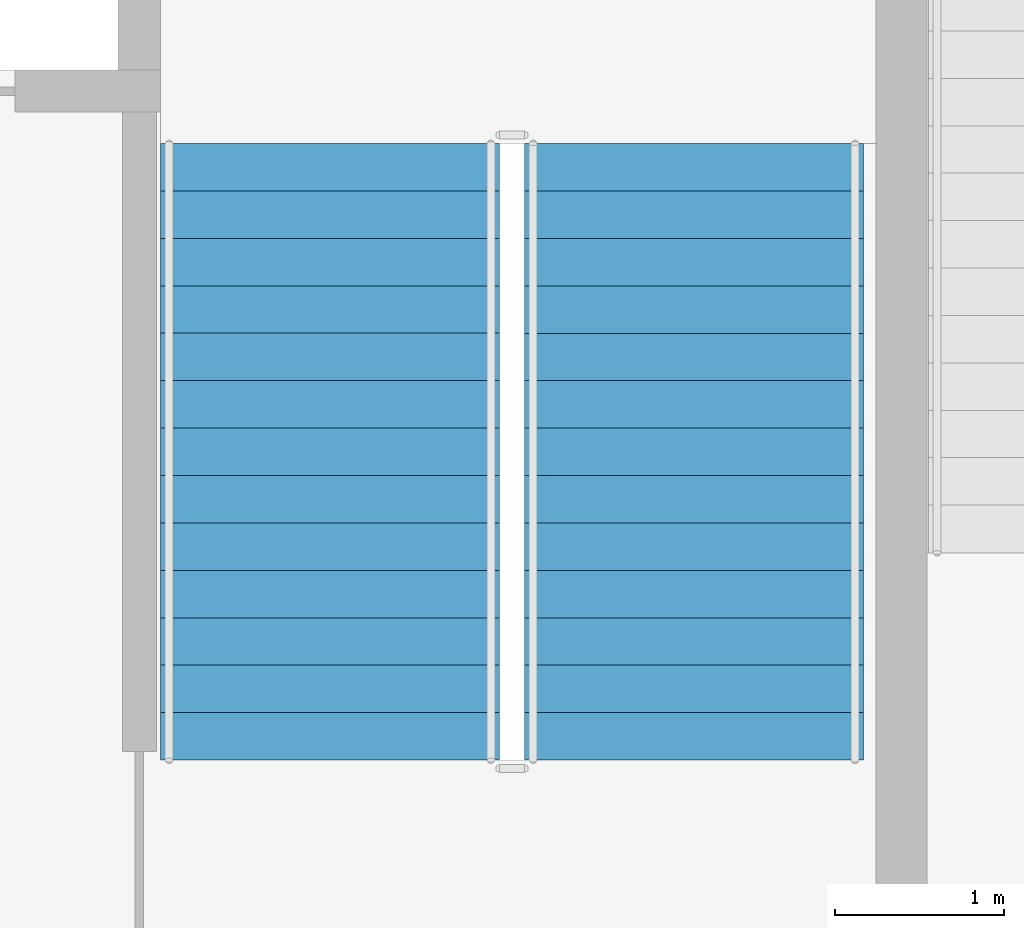
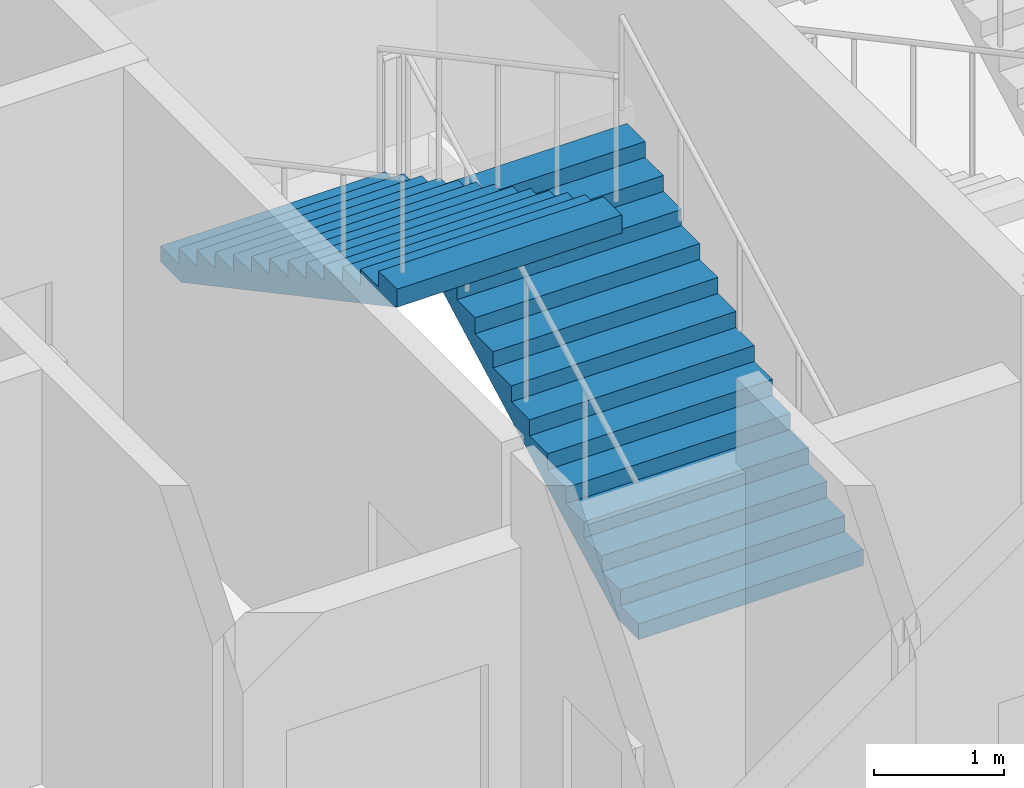
# One storey, part 18 of 23: 2 stair flights, 1 element without a shape of its own.
"""IFC4 building model written with IfcOpenShell, lengths in metres."""

import ifcopenshell
import ifcopenshell.guid

model = None  # the IFC model being written
_history = None  # IfcOwnerHistory: only IFC2X3 demands one
_inside = {}  # id of a spatial element -> (the spatial element, [elements in it])
_under = {}  # id of a project, library or spatial element -> (it, [spatial elements below it])
_declared = {}  # id of a project -> (the project, [libraries it declares])
_typed = {}  # id of a type object -> (the type object, [elements of that type])
_made_of = {}  # id of a material, layer set ... -> (it, [elements and type objects made of it])


def new_model(schema):
    """Start an empty IFC model of exactly this schema.

    Asked for "IFC4X3", IfcOpenShell would pick the latest addendum, in which some entities
    have other attributes; the version numbers below select the first issue.
    IFC2X3 requires an IfcOwnerHistory on every rooted entity: one is made here for all.
    """
    global model, _history
    if schema == "IFC4X3":
        model = ifcopenshell.file(schema_version=(4, 3, 0, 0))
    else:
        model = ifcopenshell.file(schema=schema)
    _inside.clear()
    _under.clear()
    _declared.clear()
    _typed.clear()
    _made_of.clear()
    _history = None
    if model.schema == "IFC2X3":
        org = make("IfcOrganization", Name="unknown")
        user = make(
            "IfcPersonAndOrganization",
            ThePerson=make("IfcPerson", FamilyName="unknown"),
            TheOrganization=org,
        )
        app = make(
            "IfcApplication",
            ApplicationDeveloper=org,
            Version="unknown",
            ApplicationFullName="unknown",
            ApplicationIdentifier="unknown",
        )
        _history = make(
            "IfcOwnerHistory",
            OwningUser=user,
            OwningApplication=app,
            ChangeAction="ADDED",
            CreationDate=0,
        )
    return model


def make(cls, **values):
    """One entity of the class cls with the attributes given. An attribute that is None is left unset."""
    return model.create_entity(
        cls, **{name: value for name, value in values.items() if value is not None}
    )


def rooted(cls, **values):
    """An entity with a GlobalId (a new one), such as an element, a storey or a relation."""
    return make(cls, GlobalId=ifcopenshell.guid.new(), OwnerHistory=_history, **values)


def si_unit(unit_type, name, prefix=None):
    """IfcSIUnit, for example si_unit("LENGTHUNIT", "METRE", prefix="MILLI")."""
    return make("IfcSIUnit", UnitType=unit_type, Prefix=prefix, Name=name)


def assignment(units):
    """IfcUnitAssignment: the units of a project."""
    return None if units is None else make("IfcUnitAssignment", Units=units)


def point(xyz):
    """IfcCartesianPoint."""
    return None if xyz is None else make("IfcCartesianPoint", Coordinates=xyz)


def direction(xyz):
    """IfcDirection."""
    return None if xyz is None else make("IfcDirection", DirectionRatios=xyz)


def frame(location, z_axis=None, x_axis=None):
    """IfcAxis2Placement3D, a coordinate frame: its origin and axes. An axis left out is left unset."""
    return make(
        "IfcAxis2Placement3D",
        Location=point(location),
        Axis=direction(z_axis),
        RefDirection=direction(x_axis),
    )


def origin():
    """The frame at (0, 0, 0) with its axes left unset."""
    return frame((0.0, 0.0, 0.0))


def place(relative_to, where):
    """IfcLocalPlacement: puts the frame where relative to a parent placement (None: the world)."""
    return make(
        "IfcLocalPlacement", PlacementRelTo=relative_to, RelativePlacement=where
    )


def context(
    kind, dimensions, precision=None, world=None, true_north=None, identifier=None
):
    """IfcGeometricRepresentationContext, for example the 3D "Model" context."""
    return make(
        "IfcGeometricRepresentationContext",
        ContextIdentifier=identifier,
        ContextType=kind,
        CoordinateSpaceDimension=dimensions,
        Precision=precision,
        WorldCoordinateSystem=world,
        TrueNorth=true_north,
    )


def subcontext(parent, identifier, kind, view, scale=None):
    """IfcGeometricRepresentationSubContext, for example "Body" below "Model"."""
    return make(
        "IfcGeometricRepresentationSubContext",
        ContextIdentifier=identifier,
        ContextType=kind,
        ParentContext=parent,
        TargetScale=scale,
        TargetView=view,
    )


def project(units=None, contexts=None):
    """IfcProject with its units and contexts."""
    return rooted(
        "IfcProject",
        Name="project",
        RepresentationContexts=contexts,
        UnitsInContext=assignment(units),
    )


def spatial(cls, under=None, at=None, **own):
    """A site, building, storey or space (cls), placed at a placement, below another one or the project."""
    s = rooted(cls, ObjectPlacement=at, **own)
    if under is not None:
        _under.setdefault(under.id(), (under, []))[1].append(s)
    return s


def point_list(points):
    """IfcCartesianPointList2D or 3D."""
    cls = (
        "IfcCartesianPointList2D" if len(points[0]) == 2 else "IfcCartesianPointList3D"
    )
    return make(cls, CoordList=points)


def polygons(points, faces, closed=None, point_numbers=None):
    """IfcPolygonalFaceSet: a face is its outer loop, then its inner loops; points numbered from 1."""
    made = []
    for loops in faces:
        if len(loops) == 1:
            made.append(make("IfcIndexedPolygonalFace", CoordIndex=loops[0]))
        else:
            made.append(
                make(
                    "IfcIndexedPolygonalFaceWithVoids",
                    CoordIndex=loops[0],
                    InnerCoordIndices=loops[1:],
                )
            )
    return make(
        "IfcPolygonalFaceSet",
        Coordinates=point_list(points),
        Closed=closed,
        Faces=made,
        PnIndex=point_numbers,
    )


def shape(context_of_items, identifier, shape_type, items):
    """IfcShapeRepresentation: the items that make up one representation, for example the "Body"."""
    return make(
        "IfcShapeRepresentation",
        ContextOfItems=context_of_items,
        RepresentationIdentifier=identifier,
        RepresentationType=shape_type,
        Items=items,
    )


def material(Name=None, Category=None):
    """IfcMaterial."""
    return make("IfcMaterial", Name=Name, Category=Category)


def made_of(thing, what):
    """Note that an element or type object is made of a material, layer set ...; save() writes the relation."""
    if what is not None:
        _made_of.setdefault(what.id(), (what, []))[1].append(thing)
    return thing


def type_object(cls, material=None, **own):
    """A type object (cls), such as IfcWallType, which elements share."""
    return made_of(rooted(cls, **own), material)


def element(
    cls,
    number,
    at=None,
    inside=None,
    cuts=None,
    type_object=None,
    material=None,
    context=None,
    identifier="Body",
    shape_type=None,
    held_by="IfcProductDefinitionShape",
    body=None,
    shapes=None,
    **own,
):
    """One element of the class cls, such as IfcWall. Its Tag is "e" and its number.

    at: its placement. inside: the storey or other place that contains it. cuts: it is an
    opening in that element (IfcRelVoidsElement). A single representation is given by context,
    identifier, shape_type and body (its items); several are given by shapes. held_by: the class
    of the entity that holds the representations. save() writes the other relations.
    """
    e = rooted(cls, Tag="e%d" % number, ObjectPlacement=at, **own)
    if body is not None:
        shapes = [shape(context, identifier, shape_type, body)]
    if shapes is not None:
        e.Representation = make(held_by, Representations=shapes)
    if inside is not None:
        _inside.setdefault(inside.id(), (inside, []))[1].append(e)
    if cuts is not None:
        rooted(
            "IfcRelVoidsElement", RelatingBuildingElement=cuts, RelatedOpeningElement=e
        )
    if type_object is not None:
        _typed.setdefault(type_object.id(), (type_object, []))[1].append(e)
    return made_of(e, material)


def aggregate(whole, parts):
    """IfcRelAggregates: a whole, such as a stair, and the parts it consists of."""
    return rooted("IfcRelAggregates", RelatingObject=whole, RelatedObjects=parts)


def save(model, path):
    """Write the relations noted so far, then the file.

    IfcRelAggregates (storeys below a building ...), IfcRelContainedInSpatialStructure (elements
    in a storey), IfcRelDefinesByType, IfcRelAssociatesMaterial and IfcRelDeclares: one each for
    every whole, place, type object, material and project.
    """
    for whole, parts in _under.values():
        aggregate(whole, parts)
    for where, things in _inside.values():
        rooted(
            "IfcRelContainedInSpatialStructure",
            RelatedElements=things,
            RelatingStructure=where,
        )
    for kind, things in _typed.values():
        rooted("IfcRelDefinesByType", RelatedObjects=things, RelatingType=kind)
    for what, things in _made_of.values():
        rooted("IfcRelAssociatesMaterial", RelatedObjects=things, RelatingMaterial=what)
    for by, libraries in _declared.values():
        rooted("IfcRelDeclares", RelatingContext=by, RelatedDefinitions=libraries)
    model.write(path)


model = new_model("IFC4")

# Units and contexts
model_context = context("Model", 3, precision=1e-05, world=origin(), true_north=direction((0.0, 1.0)))
body_context = subcontext(model_context, "Body", "Model", "MODEL_VIEW")
ifc_project = project(units=[si_unit("LENGTHUNIT", "METRE"), si_unit("AREAUNIT", "SQUARE_METRE"), si_unit("VOLUMEUNIT", "CUBIC_METRE"), si_unit("PLANEANGLEUNIT", "RADIAN"), si_unit("MASSUNIT", "GRAM", prefix="KILO")], contexts=[model_context])

# Site, building, storey
site_placement = place(None, origin())
site = spatial("IfcSite", under=ifc_project, at=site_placement, CompositionType="ELEMENT")
building_placement = place(site_placement, origin())
building = spatial("IfcBuilding", under=site, at=building_placement, Name="Caravel Reach Hotel and Residences", CompositionType="ELEMENT")
storey_placement = place(building_placement, frame((0.0, 0.0, 312.800048828125)))
storey = spatial("IfcBuildingStorey", under=building, at=storey_placement, Name="L79", CompositionType="ELEMENT", Elevation=312.800048828125)

# Stair, stair flights
ifc_material_1 = material(Name="Concrete C40", Category="concrete")
stair_type = type_object("IfcStairType", Name="Core stair", PredefinedType="HALF_TURN_STAIR", material=ifc_material_1)
stair_placement = place(storey_placement, origin())
stair = element("IfcStair", 1, at=stair_placement, inside=storey, type_object=stair_type, Name="L79 Exit stair B", PredefinedType="HALF_TURN_STAIR")
ifc_material_2 = material(Name="Concrete C40", Category="concrete")
stair_flight_type = type_object("IfcStairFlightType", Name="Core stair flight", PredefinedType="STRAIGHT", material=ifc_material_2)
stair_flight_1_placement = place(storey_placement, frame((43.77490234375, 24.64990234375, 0.0), z_axis=(0.0, 0.0, 1.0), x_axis=(0.0, 1.0, 0.0)))
stair_flight_1 = element("IfcStairFlight", 2, at=stair_flight_1_placement, type_object=stair_flight_type, Name="ST-B flight 1", NumberOfRisers=14, NumberOfTreads=13, PredefinedType="STRAIGHT", RiserHeight=0.15, TreadLength=0.28, context=body_context, shape_type="Tessellation", body=[
    polygons([(0.3174408016601862, 1.0, 0.0), (0.3174408016601862, 0.6666666666666667, 0.0), (0.3174408016601862, 0.33333333333333337, 0.0), (0.3174408016601862, 0.0, 0.0), (0.3174408016601862, -0.33333333333333326, 0.0), (0.3174408016601862, -0.6666666666666667, 0.0), (0.3174408016601862, -1.0, 0.0), (3.6410000000000005, 1.0, 1.7799424276820432), (3.6410000000000005, 0.6666666666666667, 1.7799424276820432), (3.6410000000000005, 0.33333333333333337, 1.7799424276820432), (3.6410000000000005, 0.0, 1.7799424276820432), (3.6410000000000005, -0.33333333333333326, 1.7799424276820432), (3.6410000000000005, -0.6666666666666667, 1.7799424276820432), (3.6410000000000005, -1.0, 1.7799424276820432), (3.6410000000000005, 1.0, 1.95), (3.6410000000000005, 0.6666666666666667, 1.95), (3.6410000000000005, 0.33333333333333337, 1.95), (3.6410000000000005, 0.0, 1.95), (3.6410000000000005, -0.33333333333333326, 1.95), (3.6410000000000005, -0.6666666666666667, 1.95), (3.6410000000000005, -1.0, 1.95), (3.3600000000000003, 1.0, 1.95), (3.3600000000000003, 0.6666666666666667, 1.95), (3.3600000000000003, 0.33333333333333337, 1.95), (3.3600000000000003, 0.0, 1.95), (3.3600000000000003, -0.33333333333333326, 1.95), (3.3600000000000003, -0.6666666666666667, 1.95), (3.3600000000000003, -1.0, 1.95), (3.3600000000000003, 1.0, 1.7999999999999998), (3.3600000000000003, 0.6666666666666667, 1.7999999999999998), (3.3600000000000003, 0.33333333333333337, 1.7999999999999998), (3.3600000000000003, 0.0, 1.7999999999999998), (3.3600000000000003, -0.33333333333333326, 1.7999999999999998), (3.3600000000000003, -0.6666666666666667, 1.7999999999999998), (3.3600000000000003, -1.0, 1.7999999999999998), (3.08, 1.0, 1.7999999999999998), (3.08, 0.6666666666666667, 1.7999999999999998), (3.08, 0.33333333333333337, 1.7999999999999998), (3.08, 0.0, 1.7999999999999998), (3.08, -0.33333333333333326, 1.7999999999999998), (3.08, -0.6666666666666667, 1.7999999999999998), (3.08, -1.0, 1.7999999999999998), (3.08, 1.0, 1.65), (3.08, 0.6666666666666667, 1.65), (3.08, 0.33333333333333337, 1.65), (3.08, 0.0, 1.65), (3.08, -0.33333333333333326, 1.65), (3.08, -0.6666666666666667, 1.65), (3.08, -1.0, 1.65), (2.8000000000000003, 1.0, 1.65), (2.8000000000000003, 0.6666666666666667, 1.65), (2.8000000000000003, 0.33333333333333337, 1.65), (2.8000000000000003, 0.0, 1.65), (2.8000000000000003, -0.33333333333333326, 1.65), (2.8000000000000003, -0.6666666666666667, 1.65), (2.8000000000000003, -1.0, 1.65), (2.8000000000000003, 1.0, 1.5), (2.8000000000000003, 0.6666666666666667, 1.5), (2.8000000000000003, 0.33333333333333337, 1.5), (2.8000000000000003, 0.0, 1.5), (2.8000000000000003, -0.33333333333333326, 1.5), (2.8000000000000003, -0.6666666666666667, 1.5), (2.8000000000000003, -1.0, 1.5), (2.5200000000000005, 1.0, 1.5), (2.5200000000000005, 0.6666666666666667, 1.5), (2.5200000000000005, 0.33333333333333337, 1.5), (2.5200000000000005, 0.0, 1.5), (2.5200000000000005, -0.33333333333333326, 1.5), (2.5200000000000005, -0.6666666666666667, 1.5), (2.5200000000000005, -1.0, 1.5), (2.5200000000000005, 1.0, 1.3499999999999999), (2.5200000000000005, 0.6666666666666667, 1.3499999999999999), (2.5200000000000005, 0.33333333333333337, 1.3499999999999999), (2.5200000000000005, 0.0, 1.3499999999999999), (2.5200000000000005, -0.33333333333333326, 1.3499999999999999), (2.5200000000000005, -0.6666666666666667, 1.3499999999999999), (2.5200000000000005, -1.0, 1.3499999999999999), (2.24, 1.0, 1.3499999999999999), (2.24, 0.6666666666666667, 1.3499999999999999), (2.24, 0.33333333333333337, 1.3499999999999999), (2.24, 0.0, 1.3499999999999999), (2.24, -0.33333333333333326, 1.3499999999999999), (2.24, -0.6666666666666667, 1.3499999999999999), (2.24, -1.0, 1.3499999999999999), (2.24, 1.0, 1.2), (2.24, 0.6666666666666667, 1.2), (2.24, 0.33333333333333337, 1.2), (2.24, 0.0, 1.2), (2.24, -0.33333333333333326, 1.2), (2.24, -0.6666666666666667, 1.2), (2.24, -1.0, 1.2), (1.9600000000000002, 1.0, 1.2), (1.9600000000000002, 0.6666666666666667, 1.2), (1.9600000000000002, 0.33333333333333337, 1.2), (1.9600000000000002, 0.0, 1.2), (1.9600000000000002, -0.33333333333333326, 1.2), (1.9600000000000002, -0.6666666666666667, 1.2), (1.9600000000000002, -1.0, 1.2), (1.9600000000000002, 1.0, 1.05), (1.9600000000000002, 0.6666666666666667, 1.05), (1.9600000000000002, 0.33333333333333337, 1.05), (1.9600000000000002, 0.0, 1.05), (1.9600000000000002, -0.33333333333333326, 1.05), (1.9600000000000002, -0.6666666666666667, 1.05), (1.9600000000000002, -1.0, 1.05), (1.6800000000000002, 1.0, 1.05), (1.6800000000000002, 0.6666666666666667, 1.05), (1.6800000000000002, 0.33333333333333337, 1.05), (1.6800000000000002, 0.0, 1.05), (1.6800000000000002, -0.33333333333333326, 1.05), (1.6800000000000002, -0.6666666666666667, 1.05), (1.6800000000000002, -1.0, 1.05), (1.6800000000000002, 1.0, 0.8999999999999999), (1.6800000000000002, 0.6666666666666667, 0.8999999999999999), (1.6800000000000002, 0.33333333333333337, 0.8999999999999999), (1.6800000000000002, 0.0, 0.8999999999999999), (1.6800000000000002, -0.33333333333333326, 0.8999999999999999), (1.6800000000000002, -0.6666666666666667, 0.8999999999999999), (1.6800000000000002, -1.0, 0.8999999999999999), (1.4000000000000001, 1.0, 0.8999999999999999), (1.4000000000000001, 0.6666666666666667, 0.8999999999999999), (1.4000000000000001, 0.33333333333333337, 0.8999999999999999), (1.4000000000000001, 0.0, 0.8999999999999999), (1.4000000000000001, -0.33333333333333326, 0.8999999999999999), (1.4000000000000001, -0.6666666666666667, 0.8999999999999999), (1.4000000000000001, -1.0, 0.8999999999999999), (1.4000000000000001, 1.0, 0.75), (1.4000000000000001, 0.6666666666666667, 0.75), (1.4000000000000001, 0.33333333333333337, 0.75), (1.4000000000000001, 0.0, 0.75), (1.4000000000000001, -0.33333333333333326, 0.75), (1.4000000000000001, -0.6666666666666667, 0.75), (1.4000000000000001, -1.0, 0.75), (1.12, 1.0, 0.75), (1.12, 0.6666666666666667, 0.75), (1.12, 0.33333333333333337, 0.75), (1.12, 0.0, 0.75), (1.12, -0.33333333333333326, 0.75), (1.12, -0.6666666666666667, 0.75), (1.12, -1.0, 0.75), (1.12, 1.0, 0.6), (1.12, 0.6666666666666667, 0.6), (1.12, 0.33333333333333337, 0.6), (1.12, 0.0, 0.6), (1.12, -0.33333333333333326, 0.6), (1.12, -0.6666666666666667, 0.6), (1.12, -1.0, 0.6), (0.8400000000000001, 1.0, 0.6), (0.8400000000000001, 0.6666666666666667, 0.6), (0.8400000000000001, 0.33333333333333337, 0.6), (0.8400000000000001, 0.0, 0.6), (0.8400000000000001, -0.33333333333333326, 0.6), (0.8400000000000001, -0.6666666666666667, 0.6), (0.8400000000000001, -1.0, 0.6), (0.8400000000000001, 1.0, 0.44999999999999996), (0.8400000000000001, 0.6666666666666667, 0.44999999999999996), (0.8400000000000001, 0.33333333333333337, 0.44999999999999996), (0.8400000000000001, 0.0, 0.44999999999999996), (0.8400000000000001, -0.33333333333333326, 0.44999999999999996), (0.8400000000000001, -0.6666666666666667, 0.44999999999999996), (0.8400000000000001, -1.0, 0.44999999999999996), (0.56, 1.0, 0.44999999999999996), (0.56, 0.6666666666666667, 0.44999999999999996), (0.56, 0.33333333333333337, 0.44999999999999996), (0.56, 0.0, 0.44999999999999996), (0.56, -0.33333333333333326, 0.44999999999999996), (0.56, -0.6666666666666667, 0.44999999999999996), (0.56, -1.0, 0.44999999999999996), (0.56, 1.0, 0.3), (0.56, 0.6666666666666667, 0.3), (0.56, 0.33333333333333337, 0.3), (0.56, 0.0, 0.3), (0.56, -0.33333333333333326, 0.3), (0.56, -0.6666666666666667, 0.3), (0.56, -1.0, 0.3), (0.28, 1.0, 0.3), (0.28, 0.6666666666666667, 0.3), (0.28, 0.33333333333333337, 0.3), (0.28, 0.0, 0.3), (0.28, -0.33333333333333326, 0.3), (0.28, -0.6666666666666667, 0.3), (0.28, -1.0, 0.3), (0.28, 1.0, 0.15), (0.28, 0.6666666666666667, 0.15), (0.28, 0.33333333333333337, 0.15), (0.28, 0.0, 0.15), (0.28, -0.33333333333333326, 0.15), (0.28, -0.6666666666666667, 0.15), (0.28, -1.0, 0.15), (-0.001, 1.0, 0.15), (-0.001, 0.6666666666666667, 0.15), (-0.001, 0.33333333333333337, 0.15), (-0.001, 0.0, 0.15), (-0.001, -0.33333333333333326, 0.15), (-0.001, -0.6666666666666667, 0.15), (-0.001, -1.0, 0.15), (-0.001, 1.0, 0.0), (-0.001, 0.6666666666666667, 0.0), (-0.001, 0.33333333333333337, 0.0), (-0.001, 0.0, 0.0), (-0.001, -0.33333333333333326, 0.0), (-0.001, -0.6666666666666667, 0.0), (-0.001, -1.0, 0.0)], [[[197, 190, 183, 176, 169, 162, 155, 148, 141, 134, 127, 120, 113, 106, 99, 92, 85, 78, 71, 64, 57, 50, 43, 36, 29, 22, 15, 8, 1]], [[7, 14, 21, 28, 35, 42, 49, 56, 63, 70, 77, 84, 91, 98, 105, 112, 119, 126, 133, 140, 147, 154, 161, 168, 175, 182, 189, 196, 203]], [[1, 8, 9, 2]], [[2, 9, 10, 3]], [[3, 10, 11, 4]], [[4, 11, 12, 5]], [[5, 12, 13, 6]], [[6, 13, 14, 7]], [[8, 15, 16, 9]], [[9, 16, 17, 10]], [[10, 17, 18, 11]], [[11, 18, 19, 12]], [[12, 19, 20, 13]], [[13, 20, 21, 14]], [[15, 22, 23, 16]], [[16, 23, 24, 17]], [[17, 24, 25, 18]], [[18, 25, 26, 19]], [[19, 26, 27, 20]], [[20, 27, 28, 21]], [[22, 29, 30, 23]], [[23, 30, 31, 24]], [[24, 31, 32, 25]], [[25, 32, 33, 26]], [[26, 33, 34, 27]], [[27, 34, 35, 28]], [[29, 36, 37, 30]], [[30, 37, 38, 31]], [[31, 38, 39, 32]], [[32, 39, 40, 33]], [[33, 40, 41, 34]], [[34, 41, 42, 35]], [[36, 43, 44, 37]], [[37, 44, 45, 38]], [[38, 45, 46, 39]], [[39, 46, 47, 40]], [[40, 47, 48, 41]], [[41, 48, 49, 42]], [[43, 50, 51, 44]], [[44, 51, 52, 45]], [[45, 52, 53, 46]], [[46, 53, 54, 47]], [[47, 54, 55, 48]], [[48, 55, 56, 49]], [[50, 57, 58, 51]], [[51, 58, 59, 52]], [[52, 59, 60, 53]], [[53, 60, 61, 54]], [[54, 61, 62, 55]], [[55, 62, 63, 56]], [[57, 64, 65, 58]], [[58, 65, 66, 59]], [[59, 66, 67, 60]], [[60, 67, 68, 61]], [[61, 68, 69, 62]], [[62, 69, 70, 63]], [[64, 71, 72, 65]], [[65, 72, 73, 66]], [[66, 73, 74, 67]], [[67, 74, 75, 68]], [[68, 75, 76, 69]], [[69, 76, 77, 70]], [[71, 78, 79, 72]], [[72, 79, 80, 73]], [[73, 80, 81, 74]], [[74, 81, 82, 75]], [[75, 82, 83, 76]], [[76, 83, 84, 77]], [[78, 85, 86, 79]], [[79, 86, 87, 80]], [[80, 87, 88, 81]], [[81, 88, 89, 82]], [[82, 89, 90, 83]], [[83, 90, 91, 84]], [[85, 92, 93, 86]], [[86, 93, 94, 87]], [[87, 94, 95, 88]], [[88, 95, 96, 89]], [[89, 96, 97, 90]], [[90, 97, 98, 91]], [[92, 99, 100, 93]], [[93, 100, 101, 94]], [[94, 101, 102, 95]], [[95, 102, 103, 96]], [[96, 103, 104, 97]], [[97, 104, 105, 98]], [[99, 106, 107, 100]], [[100, 107, 108, 101]], [[101, 108, 109, 102]], [[102, 109, 110, 103]], [[103, 110, 111, 104]], [[104, 111, 112, 105]], [[106, 113, 114, 107]], [[107, 114, 115, 108]], [[108, 115, 116, 109]], [[109, 116, 117, 110]], [[110, 117, 118, 111]], [[111, 118, 119, 112]], [[113, 120, 121, 114]], [[114, 121, 122, 115]], [[115, 122, 123, 116]], [[116, 123, 124, 117]], [[117, 124, 125, 118]], [[118, 125, 126, 119]], [[120, 127, 128, 121]], [[121, 128, 129, 122]], [[122, 129, 130, 123]], [[123, 130, 131, 124]], [[124, 131, 132, 125]], [[125, 132, 133, 126]], [[127, 134, 135, 128]], [[128, 135, 136, 129]], [[129, 136, 137, 130]], [[130, 137, 138, 131]], [[131, 138, 139, 132]], [[132, 139, 140, 133]], [[134, 141, 142, 135]], [[135, 142, 143, 136]], [[136, 143, 144, 137]], [[137, 144, 145, 138]], [[138, 145, 146, 139]], [[139, 146, 147, 140]], [[141, 148, 149, 142]], [[142, 149, 150, 143]], [[143, 150, 151, 144]], [[144, 151, 152, 145]], [[145, 152, 153, 146]], [[146, 153, 154, 147]], [[148, 155, 156, 149]], [[149, 156, 157, 150]], [[150, 157, 158, 151]], [[151, 158, 159, 152]], [[152, 159, 160, 153]], [[153, 160, 161, 154]], [[155, 162, 163, 156]], [[156, 163, 164, 157]], [[157, 164, 165, 158]], [[158, 165, 166, 159]], [[159, 166, 167, 160]], [[160, 167, 168, 161]], [[162, 169, 170, 163]], [[163, 170, 171, 164]], [[164, 171, 172, 165]], [[165, 172, 173, 166]], [[166, 173, 174, 167]], [[167, 174, 175, 168]], [[169, 176, 177, 170]], [[170, 177, 178, 171]], [[171, 178, 179, 172]], [[172, 179, 180, 173]], [[173, 180, 181, 174]], [[174, 181, 182, 175]], [[176, 183, 184, 177]], [[177, 184, 185, 178]], [[178, 185, 186, 179]], [[179, 186, 187, 180]], [[180, 187, 188, 181]], [[181, 188, 189, 182]], [[183, 190, 191, 184]], [[184, 191, 192, 185]], [[185, 192, 193, 186]], [[186, 193, 194, 187]], [[187, 194, 195, 188]], [[188, 195, 196, 189]], [[190, 197, 198, 191]], [[191, 198, 199, 192]], [[192, 199, 200, 193]], [[193, 200, 201, 194]], [[194, 201, 202, 195]], [[195, 202, 203, 196]], [[197, 1, 2, 198]], [[198, 2, 3, 199]], [[199, 3, 4, 200]], [[200, 4, 5, 201]], [[201, 5, 6, 202]], [[202, 6, 7, 203]]], closed=True),
])
stair_flight_2_placement = place(storey_placement, frame((41.625, 28.2900390625, 2.099853515625), z_axis=(0.0, 0.0, 1.0), x_axis=(0.0, -1.0, 0.0)))
stair_flight_2 = element("IfcStairFlight", 3, at=stair_flight_2_placement, type_object=stair_flight_type, Name="ST-B flight 2", NumberOfRisers=14, NumberOfTreads=13, PredefinedType="STRAIGHT", RiserHeight=0.15, TreadLength=0.28, context=body_context, shape_type="Tessellation", body=[
    polygons([(0.3174408016601862, 1.0, 0.0), (0.3174408016601862, 0.6666666666666667, 0.0), (0.3174408016601862, 0.33333333333333337, 0.0), (0.3174408016601862, 0.0, 0.0), (0.3174408016601862, -0.33333333333333326, 0.0), (0.3174408016601862, -0.6666666666666667, 0.0), (0.3174408016601862, -1.0, 0.0), (3.6410000000000005, 1.0, 1.7799424276820432), (3.6410000000000005, 0.6666666666666667, 1.7799424276820432), (3.6410000000000005, 0.33333333333333337, 1.7799424276820432), (3.6410000000000005, 0.0, 1.7799424276820432), (3.6410000000000005, -0.33333333333333326, 1.7799424276820432), (3.6410000000000005, -0.6666666666666667, 1.7799424276820432), (3.6410000000000005, -1.0, 1.7799424276820432), (3.6410000000000005, 1.0, 1.95), (3.6410000000000005, 0.6666666666666667, 1.95), (3.6410000000000005, 0.33333333333333337, 1.95), (3.6410000000000005, 0.0, 1.95), (3.6410000000000005, -0.33333333333333326, 1.95), (3.6410000000000005, -0.6666666666666667, 1.95), (3.6410000000000005, -1.0, 1.95), (3.3600000000000003, 1.0, 1.95), (3.3600000000000003, 0.6666666666666667, 1.95), (3.3600000000000003, 0.33333333333333337, 1.95), (3.3600000000000003, 0.0, 1.95), (3.3600000000000003, -0.33333333333333326, 1.95), (3.3600000000000003, -0.6666666666666667, 1.95), (3.3600000000000003, -1.0, 1.95), (3.3600000000000003, 1.0, 1.7999999999999998), (3.3600000000000003, 0.6666666666666667, 1.7999999999999998), (3.3600000000000003, 0.33333333333333337, 1.7999999999999998), (3.3600000000000003, 0.0, 1.7999999999999998), (3.3600000000000003, -0.33333333333333326, 1.7999999999999998), (3.3600000000000003, -0.6666666666666667, 1.7999999999999998), (3.3600000000000003, -1.0, 1.7999999999999998), (3.08, 1.0, 1.7999999999999998), (3.08, 0.6666666666666667, 1.7999999999999998), (3.08, 0.33333333333333337, 1.7999999999999998), (3.08, 0.0, 1.7999999999999998), (3.08, -0.33333333333333326, 1.7999999999999998), (3.08, -0.6666666666666667, 1.7999999999999998), (3.08, -1.0, 1.7999999999999998), (3.08, 1.0, 1.65), (3.08, 0.6666666666666667, 1.65), (3.08, 0.33333333333333337, 1.65), (3.08, 0.0, 1.65), (3.08, -0.33333333333333326, 1.65), (3.08, -0.6666666666666667, 1.65), (3.08, -1.0, 1.65), (2.8000000000000003, 1.0, 1.65), (2.8000000000000003, 0.6666666666666667, 1.65), (2.8000000000000003, 0.33333333333333337, 1.65), (2.8000000000000003, 0.0, 1.65), (2.8000000000000003, -0.33333333333333326, 1.65), (2.8000000000000003, -0.6666666666666667, 1.65), (2.8000000000000003, -1.0, 1.65), (2.8000000000000003, 1.0, 1.5), (2.8000000000000003, 0.6666666666666667, 1.5), (2.8000000000000003, 0.33333333333333337, 1.5), (2.8000000000000003, 0.0, 1.5), (2.8000000000000003, -0.33333333333333326, 1.5), (2.8000000000000003, -0.6666666666666667, 1.5), (2.8000000000000003, -1.0, 1.5), (2.5200000000000005, 1.0, 1.5), (2.5200000000000005, 0.6666666666666667, 1.5), (2.5200000000000005, 0.33333333333333337, 1.5), (2.5200000000000005, 0.0, 1.5), (2.5200000000000005, -0.33333333333333326, 1.5), (2.5200000000000005, -0.6666666666666667, 1.5), (2.5200000000000005, -1.0, 1.5), (2.5200000000000005, 1.0, 1.3499999999999999), (2.5200000000000005, 0.6666666666666667, 1.3499999999999999), (2.5200000000000005, 0.33333333333333337, 1.3499999999999999), (2.5200000000000005, 0.0, 1.3499999999999999), (2.5200000000000005, -0.33333333333333326, 1.3499999999999999), (2.5200000000000005, -0.6666666666666667, 1.3499999999999999), (2.5200000000000005, -1.0, 1.3499999999999999), (2.24, 1.0, 1.3499999999999999), (2.24, 0.6666666666666667, 1.3499999999999999), (2.24, 0.33333333333333337, 1.3499999999999999), (2.24, 0.0, 1.3499999999999999), (2.24, -0.33333333333333326, 1.3499999999999999), (2.24, -0.6666666666666667, 1.3499999999999999), (2.24, -1.0, 1.3499999999999999), (2.24, 1.0, 1.2), (2.24, 0.6666666666666667, 1.2), (2.24, 0.33333333333333337, 1.2), (2.24, 0.0, 1.2), (2.24, -0.33333333333333326, 1.2), (2.24, -0.6666666666666667, 1.2), (2.24, -1.0, 1.2), (1.9600000000000002, 1.0, 1.2), (1.9600000000000002, 0.6666666666666667, 1.2), (1.9600000000000002, 0.33333333333333337, 1.2), (1.9600000000000002, 0.0, 1.2), (1.9600000000000002, -0.33333333333333326, 1.2), (1.9600000000000002, -0.6666666666666667, 1.2), (1.9600000000000002, -1.0, 1.2), (1.9600000000000002, 1.0, 1.05), (1.9600000000000002, 0.6666666666666667, 1.05), (1.9600000000000002, 0.33333333333333337, 1.05), (1.9600000000000002, 0.0, 1.05), (1.9600000000000002, -0.33333333333333326, 1.05), (1.9600000000000002, -0.6666666666666667, 1.05), (1.9600000000000002, -1.0, 1.05), (1.6800000000000002, 1.0, 1.05), (1.6800000000000002, 0.6666666666666667, 1.05), (1.6800000000000002, 0.33333333333333337, 1.05), (1.6800000000000002, 0.0, 1.05), (1.6800000000000002, -0.33333333333333326, 1.05), (1.6800000000000002, -0.6666666666666667, 1.05), (1.6800000000000002, -1.0, 1.05), (1.6800000000000002, 1.0, 0.8999999999999999), (1.6800000000000002, 0.6666666666666667, 0.8999999999999999), (1.6800000000000002, 0.33333333333333337, 0.8999999999999999), (1.6800000000000002, 0.0, 0.8999999999999999), (1.6800000000000002, -0.33333333333333326, 0.8999999999999999), (1.6800000000000002, -0.6666666666666667, 0.8999999999999999), (1.6800000000000002, -1.0, 0.8999999999999999), (1.4000000000000001, 1.0, 0.8999999999999999), (1.4000000000000001, 0.6666666666666667, 0.8999999999999999), (1.4000000000000001, 0.33333333333333337, 0.8999999999999999), (1.4000000000000001, 0.0, 0.8999999999999999), (1.4000000000000001, -0.33333333333333326, 0.8999999999999999), (1.4000000000000001, -0.6666666666666667, 0.8999999999999999), (1.4000000000000001, -1.0, 0.8999999999999999), (1.4000000000000001, 1.0, 0.75), (1.4000000000000001, 0.6666666666666667, 0.75), (1.4000000000000001, 0.33333333333333337, 0.75), (1.4000000000000001, 0.0, 0.75), (1.4000000000000001, -0.33333333333333326, 0.75), (1.4000000000000001, -0.6666666666666667, 0.75), (1.4000000000000001, -1.0, 0.75), (1.12, 1.0, 0.75), (1.12, 0.6666666666666667, 0.75), (1.12, 0.33333333333333337, 0.75), (1.12, 0.0, 0.75), (1.12, -0.33333333333333326, 0.75), (1.12, -0.6666666666666667, 0.75), (1.12, -1.0, 0.75), (1.12, 1.0, 0.6), (1.12, 0.6666666666666667, 0.6), (1.12, 0.33333333333333337, 0.6), (1.12, 0.0, 0.6), (1.12, -0.33333333333333326, 0.6), (1.12, -0.6666666666666667, 0.6), (1.12, -1.0, 0.6), (0.8400000000000001, 1.0, 0.6), (0.8400000000000001, 0.6666666666666667, 0.6), (0.8400000000000001, 0.33333333333333337, 0.6), (0.8400000000000001, 0.0, 0.6), (0.8400000000000001, -0.33333333333333326, 0.6), (0.8400000000000001, -0.6666666666666667, 0.6), (0.8400000000000001, -1.0, 0.6), (0.8400000000000001, 1.0, 0.44999999999999996), (0.8400000000000001, 0.6666666666666667, 0.44999999999999996), (0.8400000000000001, 0.33333333333333337, 0.44999999999999996), (0.8400000000000001, 0.0, 0.44999999999999996), (0.8400000000000001, -0.33333333333333326, 0.44999999999999996), (0.8400000000000001, -0.6666666666666667, 0.44999999999999996), (0.8400000000000001, -1.0, 0.44999999999999996), (0.56, 1.0, 0.44999999999999996), (0.56, 0.6666666666666667, 0.44999999999999996), (0.56, 0.33333333333333337, 0.44999999999999996), (0.56, 0.0, 0.44999999999999996), (0.56, -0.33333333333333326, 0.44999999999999996), (0.56, -0.6666666666666667, 0.44999999999999996), (0.56, -1.0, 0.44999999999999996), (0.56, 1.0, 0.3), (0.56, 0.6666666666666667, 0.3), (0.56, 0.33333333333333337, 0.3), (0.56, 0.0, 0.3), (0.56, -0.33333333333333326, 0.3), (0.56, -0.6666666666666667, 0.3), (0.56, -1.0, 0.3), (0.28, 1.0, 0.3), (0.28, 0.6666666666666667, 0.3), (0.28, 0.33333333333333337, 0.3), (0.28, 0.0, 0.3), (0.28, -0.33333333333333326, 0.3), (0.28, -0.6666666666666667, 0.3), (0.28, -1.0, 0.3), (0.28, 1.0, 0.15), (0.28, 0.6666666666666667, 0.15), (0.28, 0.33333333333333337, 0.15), (0.28, 0.0, 0.15), (0.28, -0.33333333333333326, 0.15), (0.28, -0.6666666666666667, 0.15), (0.28, -1.0, 0.15), (-0.001, 1.0, 0.15), (-0.001, 0.6666666666666667, 0.15), (-0.001, 0.33333333333333337, 0.15), (-0.001, 0.0, 0.15), (-0.001, -0.33333333333333326, 0.15), (-0.001, -0.6666666666666667, 0.15), (-0.001, -1.0, 0.15), (-0.001, 1.0, 0.0), (-0.001, 0.6666666666666667, 0.0), (-0.001, 0.33333333333333337, 0.0), (-0.001, 0.0, 0.0), (-0.001, -0.33333333333333326, 0.0), (-0.001, -0.6666666666666667, 0.0), (-0.001, -1.0, 0.0)], [[[197, 190, 183, 176, 169, 162, 155, 148, 141, 134, 127, 120, 113, 106, 99, 92, 85, 78, 71, 64, 57, 50, 43, 36, 29, 22, 15, 8, 1]], [[7, 14, 21, 28, 35, 42, 49, 56, 63, 70, 77, 84, 91, 98, 105, 112, 119, 126, 133, 140, 147, 154, 161, 168, 175, 182, 189, 196, 203]], [[1, 8, 9, 2]], [[2, 9, 10, 3]], [[3, 10, 11, 4]], [[4, 11, 12, 5]], [[5, 12, 13, 6]], [[6, 13, 14, 7]], [[8, 15, 16, 9]], [[9, 16, 17, 10]], [[10, 17, 18, 11]], [[11, 18, 19, 12]], [[12, 19, 20, 13]], [[13, 20, 21, 14]], [[15, 22, 23, 16]], [[16, 23, 24, 17]], [[17, 24, 25, 18]], [[18, 25, 26, 19]], [[19, 26, 27, 20]], [[20, 27, 28, 21]], [[22, 29, 30, 23]], [[23, 30, 31, 24]], [[24, 31, 32, 25]], [[25, 32, 33, 26]], [[26, 33, 34, 27]], [[27, 34, 35, 28]], [[29, 36, 37, 30]], [[30, 37, 38, 31]], [[31, 38, 39, 32]], [[32, 39, 40, 33]], [[33, 40, 41, 34]], [[34, 41, 42, 35]], [[36, 43, 44, 37]], [[37, 44, 45, 38]], [[38, 45, 46, 39]], [[39, 46, 47, 40]], [[40, 47, 48, 41]], [[41, 48, 49, 42]], [[43, 50, 51, 44]], [[44, 51, 52, 45]], [[45, 52, 53, 46]], [[46, 53, 54, 47]], [[47, 54, 55, 48]], [[48, 55, 56, 49]], [[50, 57, 58, 51]], [[51, 58, 59, 52]], [[52, 59, 60, 53]], [[53, 60, 61, 54]], [[54, 61, 62, 55]], [[55, 62, 63, 56]], [[57, 64, 65, 58]], [[58, 65, 66, 59]], [[59, 66, 67, 60]], [[60, 67, 68, 61]], [[61, 68, 69, 62]], [[62, 69, 70, 63]], [[64, 71, 72, 65]], [[65, 72, 73, 66]], [[66, 73, 74, 67]], [[67, 74, 75, 68]], [[68, 75, 76, 69]], [[69, 76, 77, 70]], [[71, 78, 79, 72]], [[72, 79, 80, 73]], [[73, 80, 81, 74]], [[74, 81, 82, 75]], [[75, 82, 83, 76]], [[76, 83, 84, 77]], [[78, 85, 86, 79]], [[79, 86, 87, 80]], [[80, 87, 88, 81]], [[81, 88, 89, 82]], [[82, 89, 90, 83]], [[83, 90, 91, 84]], [[85, 92, 93, 86]], [[86, 93, 94, 87]], [[87, 94, 95, 88]], [[88, 95, 96, 89]], [[89, 96, 97, 90]], [[90, 97, 98, 91]], [[92, 99, 100, 93]], [[93, 100, 101, 94]], [[94, 101, 102, 95]], [[95, 102, 103, 96]], [[96, 103, 104, 97]], [[97, 104, 105, 98]], [[99, 106, 107, 100]], [[100, 107, 108, 101]], [[101, 108, 109, 102]], [[102, 109, 110, 103]], [[103, 110, 111, 104]], [[104, 111, 112, 105]], [[106, 113, 114, 107]], [[107, 114, 115, 108]], [[108, 115, 116, 109]], [[109, 116, 117, 110]], [[110, 117, 118, 111]], [[111, 118, 119, 112]], [[113, 120, 121, 114]], [[114, 121, 122, 115]], [[115, 122, 123, 116]], [[116, 123, 124, 117]], [[117, 124, 125, 118]], [[118, 125, 126, 119]], [[120, 127, 128, 121]], [[121, 128, 129, 122]], [[122, 129, 130, 123]], [[123, 130, 131, 124]], [[124, 131, 132, 125]], [[125, 132, 133, 126]], [[127, 134, 135, 128]], [[128, 135, 136, 129]], [[129, 136, 137, 130]], [[130, 137, 138, 131]], [[131, 138, 139, 132]], [[132, 139, 140, 133]], [[134, 141, 142, 135]], [[135, 142, 143, 136]], [[136, 143, 144, 137]], [[137, 144, 145, 138]], [[138, 145, 146, 139]], [[139, 146, 147, 140]], [[141, 148, 149, 142]], [[142, 149, 150, 143]], [[143, 150, 151, 144]], [[144, 151, 152, 145]], [[145, 152, 153, 146]], [[146, 153, 154, 147]], [[148, 155, 156, 149]], [[149, 156, 157, 150]], [[150, 157, 158, 151]], [[151, 158, 159, 152]], [[152, 159, 160, 153]], [[153, 160, 161, 154]], [[155, 162, 163, 156]], [[156, 163, 164, 157]], [[157, 164, 165, 158]], [[158, 165, 166, 159]], [[159, 166, 167, 160]], [[160, 167, 168, 161]], [[162, 169, 170, 163]], [[163, 170, 171, 164]], [[164, 171, 172, 165]], [[165, 172, 173, 166]], [[166, 173, 174, 167]], [[167, 174, 175, 168]], [[169, 176, 177, 170]], [[170, 177, 178, 171]], [[171, 178, 179, 172]], [[172, 179, 180, 173]], [[173, 180, 181, 174]], [[174, 181, 182, 175]], [[176, 183, 184, 177]], [[177, 184, 185, 178]], [[178, 185, 186, 179]], [[179, 186, 187, 180]], [[180, 187, 188, 181]], [[181, 188, 189, 182]], [[183, 190, 191, 184]], [[184, 191, 192, 185]], [[185, 192, 193, 186]], [[186, 193, 194, 187]], [[187, 194, 195, 188]], [[188, 195, 196, 189]], [[190, 197, 198, 191]], [[191, 198, 199, 192]], [[192, 199, 200, 193]], [[193, 200, 201, 194]], [[194, 201, 202, 195]], [[195, 202, 203, 196]], [[197, 1, 2, 198]], [[198, 2, 3, 199]], [[199, 3, 4, 200]], [[200, 4, 5, 201]], [[201, 5, 6, 202]], [[202, 6, 7, 203]]], closed=True),
])
aggregate(stair, [stair_flight_1, stair_flight_2])

save(model, "model.ifc")
